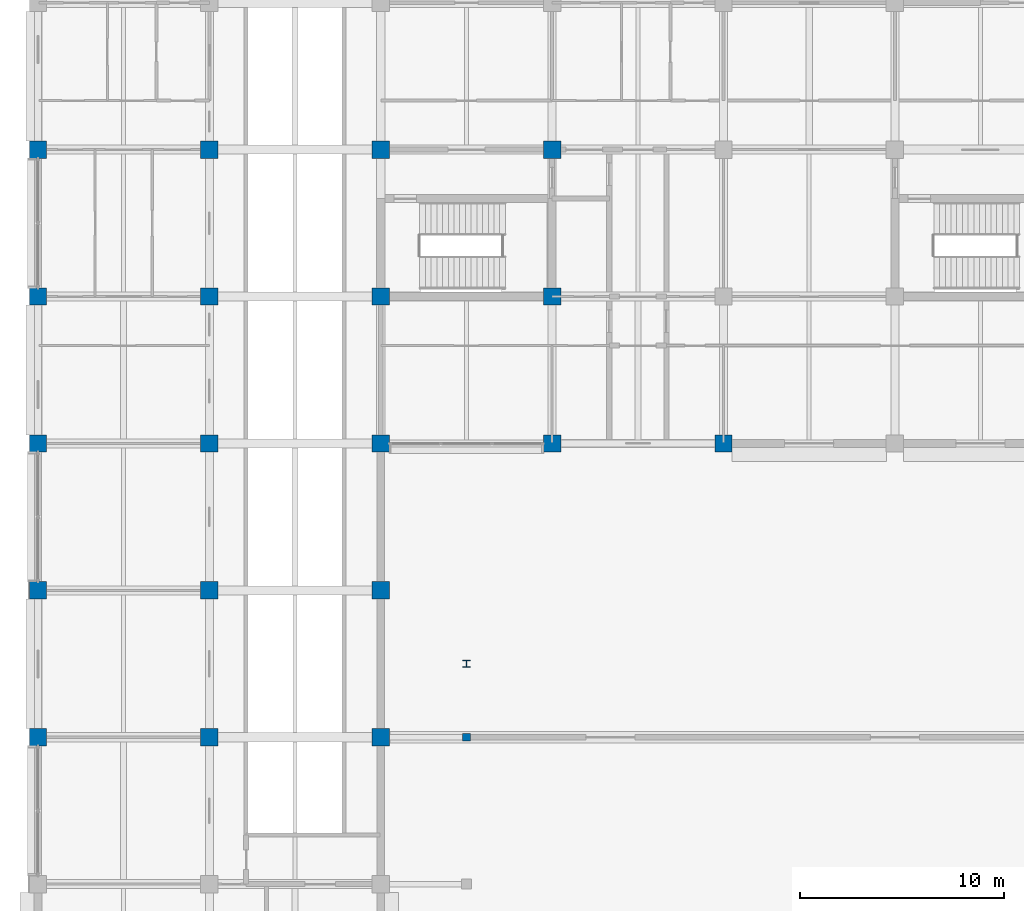
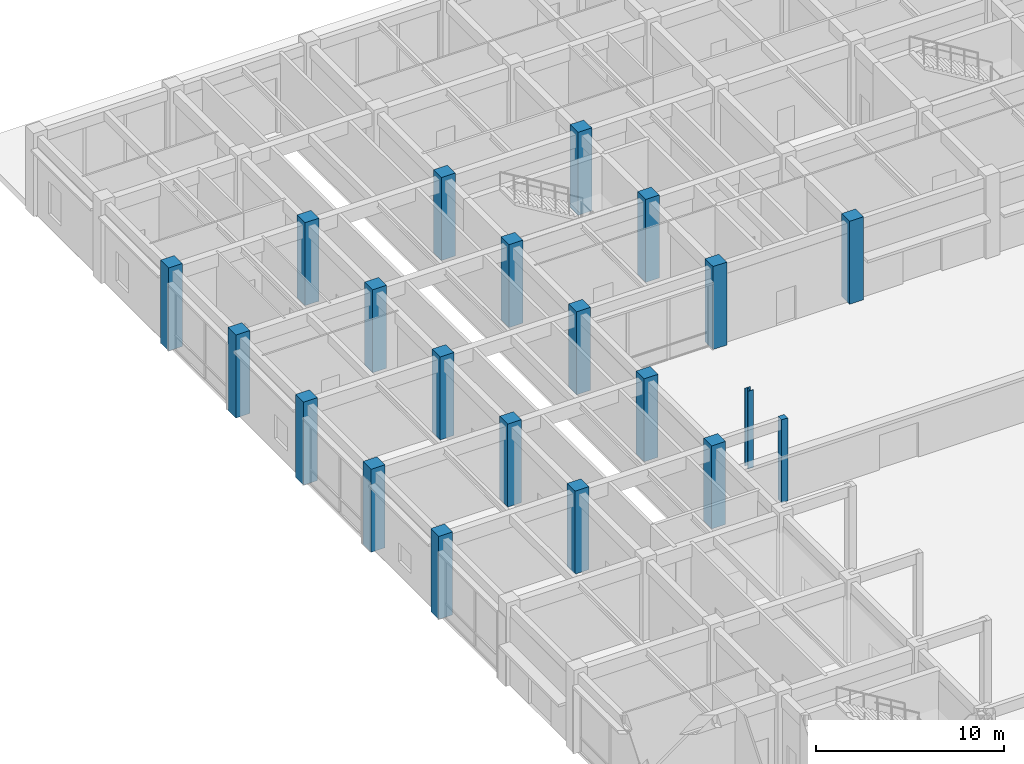
# One storey, part 3 of 73: 21 columns.
"""IFC4 building model written with IfcOpenShell, lengths in metres."""

from ifc_helpers import new_model, si_unit, direction, frame, origin, origin_2d, place, context, subcontext, project, spatial, rectangle, i_section, extrude, material, material_profile, profile_set, type_object, element, save


model = new_model("IFC4")

# Units and contexts
model_context = context("Model", 3, precision=1e-05, world=origin(), true_north=direction((0.0, 1.0)))
body_context = subcontext(model_context, "Body", "Model", "MODEL_VIEW")
ifc_project = project(units=[si_unit("LENGTHUNIT", "METRE"), si_unit("AREAUNIT", "SQUARE_METRE"), si_unit("VOLUMEUNIT", "CUBIC_METRE"), si_unit("PLANEANGLEUNIT", "RADIAN"), si_unit("MASSUNIT", "GRAM", prefix="KILO")], contexts=[model_context])

# Site, building, storey
site_placement = place(None, origin())
site = spatial("IfcSite", under=ifc_project, at=site_placement, CompositionType="ELEMENT")
building_placement = place(site_placement, origin())
building = spatial("IfcBuilding", under=site, at=building_placement, Name="Chengyuan Square Courthouse", CompositionType="ELEMENT")
storey_placement = place(building_placement, origin())
storey = spatial("IfcBuildingStorey", under=building, at=storey_placement, Name="L01", CompositionType="ELEMENT", Elevation=0.0)

# Columns
ifc_material_1 = material(Name="Concrete C50", Category="concrete")
ifc_material_profile_1 = material_profile(ifc_material_1, rectangle(XDim=0.85009765625, YDim=0.85009765625, at=origin_2d()), Name="RC-COL-850x850")
ifc_profile_set_1 = profile_set([ifc_material_profile_1], Name="Concrete C50")
column_type_1 = type_object("IfcColumnType", Name="CL-03", PredefinedType="COLUMN", material=ifc_profile_set_1)
for number, where, z_axis, x_axis, name in (
    (1, (0.0, 64.800048828125, 0.0), (0.0, 0.0, 1.0), (1.0, 0.0, 0.0), "Column CL-L01-010"),
    (2, (0.0, 72.0, 0.0), (0.0, 0.0, 1.0), (1.0, 0.0, 0.0), "Column CL-L01-011"),
    (3, (0.0, 79.199951171875, 0.0), (0.0, 0.0, 1.0), (1.0, 0.0, 0.0), "Column CL-L01-012"),
    (4, (0.0, 86.39990234375, 0.0), (0.0, 0.0, 1.0), (1.0, 0.0, 0.0), "Column CL-L01-013"),
    (5, (0.0, 93.60009765625, 0.0), (0.0, 0.0, 1.0), (1.0, 0.0, 0.0), "Column CL-L01-014"),
    (6, (8.39990234375, 64.800048828125, 0.0), (0.0, 0.0, 1.0), (1.0, 0.0, 0.0), "Column CL-L01-026"),
    (7, (8.39990234375, 72.0, 0.0), (0.0, 0.0, 1.0), (1.0, 0.0, 0.0), "Column CL-L01-027"),
    (8, (8.39990234375, 79.199951171875, 0.0), (0.0, 0.0, 1.0), (1.0, 0.0, 0.0), "Column CL-L01-028"),
    (9, (8.39990234375, 86.39990234375, 0.0), (0.0, 0.0, 1.0), (1.0, 0.0, 0.0), "Column CL-L01-029"),
    (10, (8.39990234375, 93.60009765625, 0.0), (0.0, 0.0, 1.0), (1.0, 0.0, 0.0), "Column CL-L01-030"),
    (11, (16.800048828125, 64.800048828125, 0.0), (0.0, 0.0, 1.0), (1.0, 0.0, 0.0), "Column CL-L01-042"),
    (12, (16.800048828125, 72.0, 0.0), (0.0, 0.0, 1.0), (1.0, 0.0, 0.0), "Column CL-L01-043"),
    (13, (16.800048828125, 79.199951171875, 0.0), (0.0, 0.0, 1.0), (1.0, 0.0, 0.0), "Column CL-L01-044"),
    (14, (16.800048828125, 86.39990234375, 0.0), (0.0, 0.0, 1.0), (1.0, 0.0, 0.0), "Column CL-L01-045"),
    (15, (16.800048828125, 93.60009765625, 0.0), (0.0, 0.0, 1.0), (1.0, 0.0, 0.0), "Column CL-L01-046"),
    (16, (25.199951171875, 79.199951171875, 0.0), (0.0, 0.0, 1.0), (1.0, 0.0, 0.0), "Column CL-L01-049"),
    (17, (25.199951171875, 86.39990234375, 0.0), (0.0, 0.0, 1.0), (1.0, 0.0, 0.0), "Column CL-L01-050"),
    (18, (25.199951171875, 93.60009765625, 0.0), (0.0, 0.0, 1.0), (1.0, 0.0, 0.0), "Column CL-L01-051"),
    (19, (33.60009765625, 79.199951171875, 0.0), (0.0, 0.0, 1.0), (1.0, 0.0, 0.0), "Column CL-L01-054"),
):
    element("IfcColumn", number, at=place(storey_placement, frame(where, z_axis=z_axis, x_axis=x_axis)), inside=storey, type_object=column_type_1, Name=name, PredefinedType="COLUMN", context=body_context, shape_type="SweptSolid", body=[
        extrude(rectangle(XDim=0.85009765625, YDim=0.85009765625, at=origin_2d()), origin(), (0.0, 0.0, 1.0), 5.39990234375),
    ])
ifc_material_2 = material(Name="Glulam TCt28", Category="wood")
ifc_material_profile_2 = material_profile(ifc_material_2, rectangle(XDim=0.3798828125, YDim=0.3798828125, at=origin_2d()), Name="GL-COL-380x380")
ifc_profile_set_2 = profile_set([ifc_material_profile_2], Name="Glulam TCt28")
column_type_2 = type_object("IfcColumnType", Name="GL-02", PredefinedType="COLUMN", material=ifc_profile_set_2)
column_1_placement = place(storey_placement, frame((21.0, 64.800048828125, 0.0), z_axis=(0.0, 0.0, 1.0), x_axis=(1.0, 0.0, 0.0)))
element("IfcColumn", 20, at=column_1_placement, inside=storey, type_object=column_type_2, Name="Glulam Colonnade Column GLC-L01-019", PredefinedType="COLUMN", context=body_context, shape_type="SweptSolid", body=[
    extrude(rectangle(XDim=0.3798828125, YDim=0.3798828125, at=origin_2d()), origin(), (0.0, 0.0, 1.0), 5.39990234375),
])
ifc_material_3 = material(Name="Steel Q355B", Category="steel")
ifc_material_profile_3 = material_profile(ifc_material_3, i_section(OverallWidth=0.35009765625, OverallDepth=0.35009765625, WebThickness=0.011962890625, FlangeThickness=0.01904296875, at=origin_2d()), Name="HW 350x350x12x19")
ifc_profile_set_3 = profile_set([ifc_material_profile_3], Name="Steel Q355B")
column_type_3 = type_object("IfcColumnType", Name="SC-02", PredefinedType="COLUMN", material=ifc_profile_set_3)
column_2_placement = place(storey_placement, frame((21.0, 68.39990234375, 0.0), z_axis=(0.0, 0.0, 1.0), x_axis=(1.0, 0.0, 0.0)))
element("IfcColumn", 21, at=column_2_placement, inside=storey, type_object=column_type_3, Name="Forecourt Canopy Steel Post SCP-L01-04", PredefinedType="COLUMN", context=body_context, shape_type="SweptSolid", body=[
    extrude(i_section(OverallWidth=0.35009765625, OverallDepth=0.35009765625, WebThickness=0.011962890625, FlangeThickness=0.01904296875, at=origin_2d()), origin(), (0.0, 0.0, 1.0), 5.06005859375),
])

save(model, "model.ifc")
